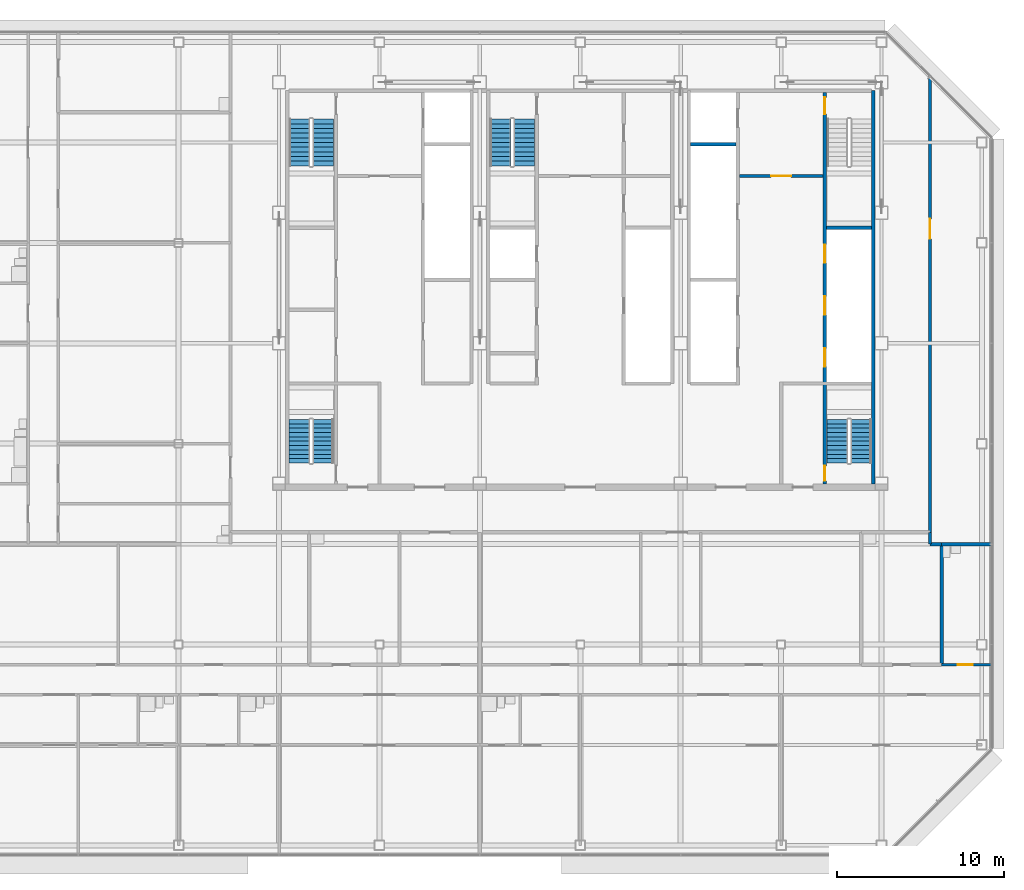
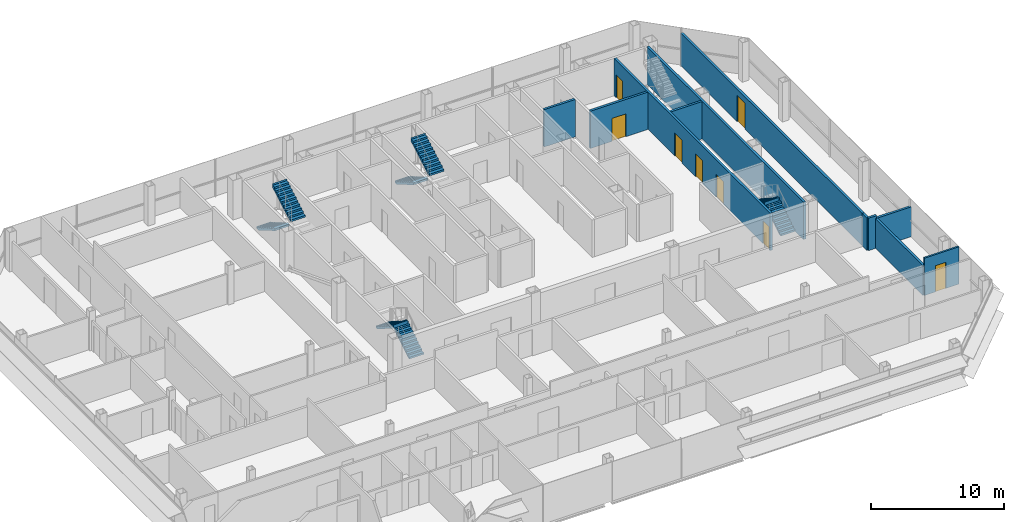
# One storey, part 24 of 27: 11 walls, 8 doors, 8 stair flights, 8 openings, 4 elements without a shape of their own.
"""IFC4 building model written with IfcOpenShell, lengths in metres."""

import ifcopenshell
import ifcopenshell.guid

model = None  # the IFC model being written
_history = None  # IfcOwnerHistory: only IFC2X3 demands one
_inside = {}  # id of a spatial element -> (the spatial element, [elements in it])
_under = {}  # id of a project, library or spatial element -> (it, [spatial elements below it])
_declared = {}  # id of a project -> (the project, [libraries it declares])
_typed = {}  # id of a type object -> (the type object, [elements of that type])
_made_of = {}  # id of a material, layer set ... -> (it, [elements and type objects made of it])


def new_model(schema):
    """Start an empty IFC model of exactly this schema.

    Asked for "IFC4X3", IfcOpenShell would pick the latest addendum, in which some entities
    have other attributes; the version numbers below select the first issue.
    IFC2X3 requires an IfcOwnerHistory on every rooted entity: one is made here for all.
    """
    global model, _history
    if schema == "IFC4X3":
        model = ifcopenshell.file(schema_version=(4, 3, 0, 0))
    else:
        model = ifcopenshell.file(schema=schema)
    _inside.clear()
    _under.clear()
    _declared.clear()
    _typed.clear()
    _made_of.clear()
    _history = None
    if model.schema == "IFC2X3":
        org = make("IfcOrganization", Name="unknown")
        user = make(
            "IfcPersonAndOrganization",
            ThePerson=make("IfcPerson", FamilyName="unknown"),
            TheOrganization=org,
        )
        app = make(
            "IfcApplication",
            ApplicationDeveloper=org,
            Version="unknown",
            ApplicationFullName="unknown",
            ApplicationIdentifier="unknown",
        )
        _history = make(
            "IfcOwnerHistory",
            OwningUser=user,
            OwningApplication=app,
            ChangeAction="ADDED",
            CreationDate=0,
        )
    return model


def make(cls, **values):
    """One entity of the class cls with the attributes given. An attribute that is None is left unset."""
    return model.create_entity(
        cls, **{name: value for name, value in values.items() if value is not None}
    )


def rooted(cls, **values):
    """An entity with a GlobalId (a new one), such as an element, a storey or a relation."""
    return make(cls, GlobalId=ifcopenshell.guid.new(), OwnerHistory=_history, **values)


def si_unit(unit_type, name, prefix=None):
    """IfcSIUnit, for example si_unit("LENGTHUNIT", "METRE", prefix="MILLI")."""
    return make("IfcSIUnit", UnitType=unit_type, Prefix=prefix, Name=name)


def assignment(units):
    """IfcUnitAssignment: the units of a project."""
    return None if units is None else make("IfcUnitAssignment", Units=units)


def point(xyz):
    """IfcCartesianPoint."""
    return None if xyz is None else make("IfcCartesianPoint", Coordinates=xyz)


def direction(xyz):
    """IfcDirection."""
    return None if xyz is None else make("IfcDirection", DirectionRatios=xyz)


def frame(location, z_axis=None, x_axis=None):
    """IfcAxis2Placement3D, a coordinate frame: its origin and axes. An axis left out is left unset."""
    return make(
        "IfcAxis2Placement3D",
        Location=point(location),
        Axis=direction(z_axis),
        RefDirection=direction(x_axis),
    )


def frame_2d(location, x_axis=None):
    """IfcAxis2Placement2D, a coordinate frame in the plane: its origin and x axis."""
    return make(
        "IfcAxis2Placement2D", Location=point(location), RefDirection=direction(x_axis)
    )


def origin():
    """The frame at (0, 0, 0) with its axes left unset."""
    return frame((0.0, 0.0, 0.0))


def place(relative_to, where):
    """IfcLocalPlacement: puts the frame where relative to a parent placement (None: the world)."""
    return make(
        "IfcLocalPlacement", PlacementRelTo=relative_to, RelativePlacement=where
    )


def context(
    kind, dimensions, precision=None, world=None, true_north=None, identifier=None
):
    """IfcGeometricRepresentationContext, for example the 3D "Model" context."""
    return make(
        "IfcGeometricRepresentationContext",
        ContextIdentifier=identifier,
        ContextType=kind,
        CoordinateSpaceDimension=dimensions,
        Precision=precision,
        WorldCoordinateSystem=world,
        TrueNorth=true_north,
    )


def subcontext(parent, identifier, kind, view, scale=None):
    """IfcGeometricRepresentationSubContext, for example "Body" below "Model"."""
    return make(
        "IfcGeometricRepresentationSubContext",
        ContextIdentifier=identifier,
        ContextType=kind,
        ParentContext=parent,
        TargetScale=scale,
        TargetView=view,
    )


def project(units=None, contexts=None):
    """IfcProject with its units and contexts."""
    return rooted(
        "IfcProject",
        Name="project",
        RepresentationContexts=contexts,
        UnitsInContext=assignment(units),
    )


def spatial(cls, under=None, at=None, **own):
    """A site, building, storey or space (cls), placed at a placement, below another one or the project."""
    s = rooted(cls, ObjectPlacement=at, **own)
    if under is not None:
        _under.setdefault(under.id(), (under, []))[1].append(s)
    return s


def polyline(points):
    """IfcPolyline through the points."""
    return make("IfcPolyline", Points=[point(p) for p in points])


def profile(cls, at=None, kind="AREA", **sizes):
    """A parametric profile (cls). Its sizes go by their IFC names, for example OverallWidth=200.0."""
    return make(cls, ProfileType=kind, Position=at, **sizes)


def rectangle(**sizes):
    """IfcRectangleProfileDef."""
    return profile("IfcRectangleProfileDef", **sizes)


def outline(outer, holes=None, kind="AREA"):
    """IfcArbitraryClosedProfileDef: a profile drawn as a closed curve; with holes, ...WithVoids."""
    if holes is None:
        return make("IfcArbitraryClosedProfileDef", ProfileType=kind, OuterCurve=outer)
    return make(
        "IfcArbitraryProfileDefWithVoids",
        ProfileType=kind,
        OuterCurve=outer,
        InnerCurves=holes,
    )


def extrude(swept, where, along, depth):
    """IfcExtrudedAreaSolid: the profile swept, set in the frame where, extruded along a direction by depth."""
    return make(
        "IfcExtrudedAreaSolid",
        SweptArea=swept,
        Position=where,
        ExtrudedDirection=direction(along),
        Depth=depth,
    )


def shape(context_of_items, identifier, shape_type, items):
    """IfcShapeRepresentation: the items that make up one representation, for example the "Body"."""
    return make(
        "IfcShapeRepresentation",
        ContextOfItems=context_of_items,
        RepresentationIdentifier=identifier,
        RepresentationType=shape_type,
        Items=items,
    )


def material(Name=None, Category=None):
    """IfcMaterial."""
    return make("IfcMaterial", Name=Name, Category=Category)


def layer(
    of_material, thickness, ventilated=None, Name=None, Category=None, Priority=None
):
    """IfcMaterialLayer: one layer of a wall or slab, of a material (None: an air gap)."""
    return make(
        "IfcMaterialLayer",
        Material=of_material,
        LayerThickness=thickness,
        IsVentilated=ventilated,
        Name=Name,
        Category=Category,
        Priority=Priority,
    )


def layer_set(layers, Name=None):
    """IfcMaterialLayerSet."""
    return make("IfcMaterialLayerSet", MaterialLayers=layers, LayerSetName=Name)


def made_of(thing, what):
    """Note that an element or type object is made of a material, layer set ...; save() writes the relation."""
    if what is not None:
        _made_of.setdefault(what.id(), (what, []))[1].append(thing)
    return thing


def type_object(cls, material=None, **own):
    """A type object (cls), such as IfcWallType, which elements share."""
    return made_of(rooted(cls, **own), material)


def element(
    cls,
    number,
    at=None,
    inside=None,
    cuts=None,
    type_object=None,
    material=None,
    context=None,
    identifier="Body",
    shape_type=None,
    held_by="IfcProductDefinitionShape",
    body=None,
    shapes=None,
    **own,
):
    """One element of the class cls, such as IfcWall. Its Tag is "e" and its number.

    at: its placement. inside: the storey or other place that contains it. cuts: it is an
    opening in that element (IfcRelVoidsElement). A single representation is given by context,
    identifier, shape_type and body (its items); several are given by shapes. held_by: the class
    of the entity that holds the representations. save() writes the other relations.
    """
    e = rooted(cls, Tag="e%d" % number, ObjectPlacement=at, **own)
    if body is not None:
        shapes = [shape(context, identifier, shape_type, body)]
    if shapes is not None:
        e.Representation = make(held_by, Representations=shapes)
    if inside is not None:
        _inside.setdefault(inside.id(), (inside, []))[1].append(e)
    if cuts is not None:
        rooted(
            "IfcRelVoidsElement", RelatingBuildingElement=cuts, RelatedOpeningElement=e
        )
    if type_object is not None:
        _typed.setdefault(type_object.id(), (type_object, []))[1].append(e)
    return made_of(e, material)


def fill(opening, filler):
    """IfcRelFillsElement: the door or window that sits in an opening."""
    return rooted(
        "IfcRelFillsElement",
        RelatingOpeningElement=opening,
        RelatedBuildingElement=filler,
    )


def aggregate(whole, parts):
    """IfcRelAggregates: a whole, such as a stair, and the parts it consists of."""
    return rooted("IfcRelAggregates", RelatingObject=whole, RelatedObjects=parts)


def save(model, path):
    """Write the relations noted so far, then the file.

    IfcRelAggregates (storeys below a building ...), IfcRelContainedInSpatialStructure (elements
    in a storey), IfcRelDefinesByType, IfcRelAssociatesMaterial and IfcRelDeclares: one each for
    every whole, place, type object, material and project.
    """
    for whole, parts in _under.values():
        aggregate(whole, parts)
    for where, things in _inside.values():
        rooted(
            "IfcRelContainedInSpatialStructure",
            RelatedElements=things,
            RelatingStructure=where,
        )
    for kind, things in _typed.values():
        rooted("IfcRelDefinesByType", RelatedObjects=things, RelatingType=kind)
    for what, things in _made_of.values():
        rooted("IfcRelAssociatesMaterial", RelatedObjects=things, RelatingMaterial=what)
    for by, libraries in _declared.values():
        rooted("IfcRelDeclares", RelatingContext=by, RelatedDefinitions=libraries)
    model.write(path)


model = new_model("IFC4")

# Units and contexts
model_context = context("Model", 3, precision=1e-05, world=origin(), true_north=direction((0.0, 1.0)))
body_context = subcontext(model_context, "Body", "Model", "MODEL_VIEW")
ifc_project = project(units=[si_unit("LENGTHUNIT", "METRE"), si_unit("AREAUNIT", "SQUARE_METRE"), si_unit("VOLUMEUNIT", "CUBIC_METRE"), si_unit("PLANEANGLEUNIT", "RADIAN"), si_unit("MASSUNIT", "GRAM", prefix="KILO")], contexts=[model_context])

# Site, building, storey
site_placement = place(None, origin())
site = spatial("IfcSite", under=ifc_project, at=site_placement, CompositionType="ELEMENT")
building_placement = place(site_placement, origin())
building = spatial("IfcBuilding", under=site, at=building_placement, Name="Sorahane Residences", CompositionType="ELEMENT")
storey_placement = place(building_placement, frame((0.0, 0.0, 294.39990234375)))
storey = spatial("IfcBuildingStorey", under=building, at=storey_placement, Name="L69", CompositionType="ELEMENT", Elevation=294.39990234375)

# Wall
ifc_material_1 = material(Name="Concrete C30", Category="concrete")
ifc_layer_1 = layer(ifc_material_1, 0.199951171875)
ifc_layer_set_1 = layer_set([ifc_layer_1], Name="Core face wall 200 EI 180")
wall_type_1 = type_object("IfcWallType", Name="Core face wall 200 EI 180", PredefinedType="SOLIDWALL", material=ifc_layer_set_1)
wall_1_placement = place(storey_placement, frame((41.5, 21.60009765625, 0.0), z_axis=(0.0, 0.0, 1.0), x_axis=(0.0, 1.0, 0.0)))
element("IfcWall", 1, at=wall_1_placement, inside=storey, type_object=wall_type_1, Name="L69 core face wall", PredefinedType="SOLIDWALL", context=body_context, shape_type="SweptSolid", body=[
    extrude(rectangle(XDim=23.5, YDim=0.199951171875, at=frame_2d((11.75, 0.0))), origin(), (0.0, 0.0, 1.0), 3.420166015625),
])

# Wall, opening, door
ifc_material_2 = material(Name="Concrete blockwork C20 wall", Category="masonry")
ifc_layer_2 = layer(ifc_material_2, 0.199951171875)
ifc_layer_set_2 = layer_set([ifc_layer_2], Name="Corridor wall 200 EI 120")
wall_type_2 = type_object("IfcWallType", Name="Corridor wall 200 EI 120", PredefinedType="SOLIDWALL", material=ifc_layer_set_2)
wall_2_placement = place(storey_placement, frame((44.89990234375, 18.699951171875, 0.0), z_axis=(0.0, 0.0, 1.0), x_axis=(0.0, 1.0, 0.0)))
wall_2 = element("IfcWall", 2, at=wall_2_placement, inside=storey, type_object=wall_type_2, Name="L69 corridor wall", PredefinedType="SOLIDWALL", context=body_context, shape_type="SweptSolid", body=[
    extrude(rectangle(XDim=27.2490234375, YDim=0.199951171875, at=frame_2d((13.62451171875, 0.0))), origin(), (0.0, 0.0, 1.0), 2.97021484375),
])
opening_1_placement = place(wall_2_placement, frame((17.5400390625, 0.0, 0.0)))
opening_1 = element("IfcOpeningElement", 3, at=opening_1_placement, cuts=wall_2, Name="Opening L69-45", PredefinedType="OPENING", context=body_context, shape_type="SweptSolid", body=[
    extrude(rectangle(XDim=1.199951171875, YDim=2.39990234375, at=frame_2d((0.60009765625, 1.199951171875))), frame((0.0, 0.10986328125, 0.0), z_axis=(0.0, -1.0, 0.0), x_axis=(1.0, 0.0, 0.0)), (0.0, 0.0, 1.0), 0.219970703125),
])
ifc_material_3 = material(Name="Steel", Category="steel")
door_type_1 = type_object("IfcDoorType", Name="Lobby door 1200x2400 FD60", OperationType="NOTDEFINED", PredefinedType="DOOR", material=ifc_material_3)
door_1_placement = place(opening_1_placement, frame((1.199951171875, 0.0, 0.0), z_axis=(0.0, 0.0, 1.0), x_axis=(-1.0, 0.0, 0.0)))
door_1 = element("IfcDoor", 4, at=door_1_placement, inside=storey, type_object=door_type_1, Name="Lobby door L69-45", OperationType="SINGLE_SWING_RIGHT", OverallHeight=2.39990234375, OverallWidth=1.199951171875, PredefinedType="DOOR", context=body_context, shape_type="SweptSolid", body=[
    extrude(rectangle(XDim=1.199951171875, YDim=2.39990234375, at=frame_2d((0.60009765625, 1.199951171875))), frame((0.0, 0.02490234375, 0.0), z_axis=(0.0, -1.0, 0.0), x_axis=(1.0, 0.0, 0.0)), (0.0, 0.0, 1.0), 0.050048828125),
])
fill(opening_1, door_1)

# Wall
wall_3_placement = place(storey_placement, frame((45.60009765625, 18.0, 0.0), z_axis=(0.0, 0.0, 1.0), x_axis=(1.0, 0.0, 0.0)))
element("IfcWall", 5, at=wall_3_placement, inside=storey, type_object=wall_type_2, Name="L69 corridor wall", PredefinedType="SOLIDWALL", context=body_context, shape_type="SweptSolid", body=[
    extrude(rectangle(XDim=3.0, YDim=0.199951171875, at=frame_2d((1.5, 0.0))), origin(), (0.0, 0.0, 1.0), 2.72021484375),
])

# Wall, opening, door
ifc_material_4 = material(Name="Concrete C30", Category="concrete")
ifc_layer_3 = layer(ifc_material_4, 0.199951171875)
ifc_layer_set_3 = layer_set([ifc_layer_3], Name="Front room wall 200 EI 120")
wall_type_3 = type_object("IfcWallType", Name="Front room wall 200 EI 120", PredefinedType="PARTITIONING", material=ifc_layer_set_3)
wall_4_placement = place(storey_placement, frame((33.5, 40.0, 0.0), z_axis=(0.0, 0.0, 1.0), x_axis=(1.0, 0.0, 0.0)))
wall_4 = element("IfcWall", 6, at=wall_4_placement, inside=storey, type_object=wall_type_3, Name="L69 front room wall", PredefinedType="PARTITIONING", context=body_context, shape_type="SweptSolid", body=[
    extrude(rectangle(XDim=5.0, YDim=0.199951171875, at=frame_2d((2.5, 0.0))), origin(), (0.0, 0.0, 1.0), 3.420166015625),
])
opening_2_placement = place(wall_4_placement, frame((1.89990234375, 0.0, 0.0)))
opening_2 = element("IfcOpeningElement", 7, at=opening_2_placement, cuts=wall_4, Name="Opening L69-C08", PredefinedType="OPENING", context=body_context, shape_type="SweptSolid", body=[
    extrude(rectangle(XDim=1.199951171875, YDim=2.10009765625, at=frame_2d((0.60009765625, 1.050048828125))), frame((0.0, 0.10986328125, 0.0), z_axis=(0.0, -1.0, 0.0), x_axis=(1.0, 0.0, 0.0)), (0.0, 0.0, 1.0), 0.219970703125),
])
ifc_material_5 = material(Name="Steel", Category="steel")
door_type_2 = type_object("IfcDoorType", Name="Front room door 1200x2100 FD120", OperationType="NOTDEFINED", PredefinedType="DOOR", material=ifc_material_5)
door_2_placement = place(opening_2_placement, frame((1.199951171875, 0.0, 0.0), z_axis=(0.0, 0.0, 1.0), x_axis=(-1.0, 0.0, 0.0)))
door_2 = element("IfcDoor", 8, at=door_2_placement, inside=storey, type_object=door_type_2, Name="Front room door Firefighting lobby FF2 front room L69", OperationType="DOUBLE_DOOR_SINGLE_SWING", OverallHeight=2.10009765625, OverallWidth=1.199951171875, PredefinedType="DOOR", context=body_context, shape_type="SweptSolid", body=[
    extrude(rectangle(XDim=1.199951171875, YDim=2.10009765625, at=frame_2d((0.60009765625, 1.050048828125))), frame((0.0, 0.02490234375, 0.0), z_axis=(0.0, -1.0, 0.0), x_axis=(1.0, 0.0, 0.0)), (0.0, 0.0, 1.0), 0.050048828125),
])
fill(opening_2, door_2)

# Walls
ifc_material_6 = material(Name="Concrete blockwork C20 wall", Category="masonry")
ifc_layer_4 = layer(ifc_material_6, 0.199951171875)
ifc_layer_set_4 = layer_set([ifc_layer_4], Name="Kitchen wall 200 EI 180")
wall_type_4 = type_object("IfcWallType", Name="Kitchen wall 200 EI 180", PredefinedType="SOLIDWALL", material=ifc_layer_set_4)
wall_5_placement = place(storey_placement, frame((44.89990234375, 18.0, 0.0), z_axis=(0.0, 0.0, 1.0), x_axis=(0.0, 1.0, 0.0)))
element("IfcWall", 9, at=wall_5_placement, inside=storey, type_object=wall_type_4, Name="L69 kitchen wall", PredefinedType="SOLIDWALL", context=body_context, shape_type="SweptSolid", body=[
    extrude(rectangle(XDim=0.699951171875, YDim=0.199951171875, at=frame_2d((0.35009765625, 0.0))), origin(), (0.0, 0.0, 1.0), 2.97021484375),
])
wall_6_placement = place(storey_placement, frame((45.60009765625, 10.800048828125, 0.0), z_axis=(0.0, 0.0, 1.0), x_axis=(0.0, 1.0, 0.0)))
element("IfcWall", 10, at=wall_6_placement, inside=storey, type_object=wall_type_4, Name="L69 kitchen wall", PredefinedType="SOLIDWALL", context=body_context, shape_type="SweptSolid", body=[
    extrude(rectangle(XDim=7.199951171875, YDim=0.199951171875, at=frame_2d((3.60009765625, 0.0))), origin(), (0.0, 0.0, 1.0), 2.72021484375),
])
wall_7_placement = place(storey_placement, frame((44.89990234375, 18.0, 0.0), z_axis=(0.0, 0.0, 1.0), x_axis=(1.0, 0.0, 0.0)))
element("IfcWall", 11, at=wall_7_placement, inside=storey, type_object=wall_type_4, Name="L69 kitchen wall", PredefinedType="SOLIDWALL", context=body_context, shape_type="SweptSolid", body=[
    extrude(rectangle(XDim=0.7001953125, YDim=0.199951171875, at=frame_2d((0.35009765625, 0.0))), origin(), (0.0, 0.0, 1.0), 2.97021484375),
])
ifc_material_7 = material(Name="Concrete C30", Category="concrete")
ifc_layer_5 = layer(ifc_material_7, 0.199951171875)
ifc_layer_set_5 = layer_set([ifc_layer_5], Name="Lift shaft wall 200 EI 120")
wall_type_5 = type_object("IfcWallType", Name="Lift shaft wall 200 EI 120", PredefinedType="SOLIDWALL", material=ifc_layer_set_5)
wall_8_placement = place(storey_placement, frame((30.60009765625, 41.89990234375, 0.0), z_axis=(0.0, 0.0, 1.0), x_axis=(1.0, 0.0, 0.0)))
element("IfcWall", 12, at=wall_8_placement, inside=storey, type_object=wall_type_5, Name="L69 lift shaft wall", PredefinedType="SOLIDWALL", context=body_context, shape_type="SweptSolid", body=[
    extrude(rectangle(XDim=2.699951171875, YDim=0.199951171875, at=frame_2d((1.35009765625, 0.0))), origin(), (0.0, 0.0, 1.0), 3.420166015625),
])

# Wall, openings, doors
ifc_material_8 = material(Name="Concrete C30", Category="concrete")
ifc_layer_6 = layer(ifc_material_8, 0.199951171875)
ifc_layer_set_6 = layer_set([ifc_layer_6], Name="Stair enclosure wall 200 EI 120")
wall_type_6 = type_object("IfcWallType", Name="Stair enclosure wall 200 EI 120", PredefinedType="SOLIDWALL", material=ifc_layer_set_6)
wall_9_placement = place(storey_placement, frame((38.60009765625, 21.60009765625, 0.0), z_axis=(0.0, 0.0, 1.0), x_axis=(0.0, 1.0, 0.0)))
wall_9 = element("IfcWall", 13, at=wall_9_placement, inside=storey, type_object=wall_type_6, Name="L69 stair enclosure wall", PredefinedType="SOLIDWALL", context=body_context, shape_type="SweptSolid", body=[
    extrude(rectangle(XDim=23.39990234375, YDim=0.199951171875, at=frame_2d((11.699951171875, 0.0))), origin(), (0.0, 0.0, 1.0), 3.420166015625),
])
opening_3_placement = place(wall_9_placement, frame((7.0, 0.0, 0.0)))
opening_3 = element("IfcOpeningElement", 14, at=opening_3_placement, cuts=wall_9, Name="Opening L69-C09", PredefinedType="OPENING", context=body_context, shape_type="SweptSolid", body=[
    extrude(rectangle(XDim=1.10009765625, YDim=2.10009765625, at=frame_2d((0.550048828125, 1.050048828125))), frame((0.0, 0.10986328125, 0.0), z_axis=(0.0, -1.0, 0.0), x_axis=(1.0, 0.0, 0.0)), (0.0, 0.0, 1.0), 0.219970703125),
])
opening_4_placement = place(wall_9_placement, frame((10.10009765625, 0.0, 0.0)))
opening_4 = element("IfcOpeningElement", 15, at=opening_4_placement, cuts=wall_9, Name="Opening L69-C10", PredefinedType="OPENING", context=body_context, shape_type="SweptSolid", body=[
    extrude(rectangle(XDim=1.10009765625, YDim=2.10009765625, at=frame_2d((0.550048828125, 1.050048828125))), frame((0.0, 0.10986328125, 0.0), z_axis=(0.0, -1.0, 0.0), x_axis=(1.0, 0.0, 0.0)), (0.0, 0.0, 1.0), 0.219970703125),
])
opening_5_placement = place(wall_9_placement, frame((13.199951171875, 0.0, 0.0)))
opening_5 = element("IfcOpeningElement", 16, at=opening_5_placement, cuts=wall_9, Name="Opening L69-C11", PredefinedType="OPENING", context=body_context, shape_type="SweptSolid", body=[
    extrude(rectangle(XDim=1.10009765625, YDim=2.10009765625, at=frame_2d((0.550048828125, 1.050048828125))), frame((0.0, 0.10986328125, 0.0), z_axis=(0.0, -1.0, 0.0), x_axis=(1.0, 0.0, 0.0)), (0.0, 0.0, 1.0), 0.219970703125),
])
opening_6_placement = place(wall_9_placement, frame((22.10009765625, 0.0, 0.0)))
opening_6 = element("IfcOpeningElement", 17, at=opening_6_placement, cuts=wall_9, Name="Opening L69-C22", PredefinedType="OPENING", context=body_context, shape_type="SweptSolid", body=[
    extrude(rectangle(XDim=1.0, YDim=2.10009765625, at=frame_2d((0.5, 1.050048828125))), frame((0.0, 0.10986328125, 0.0), z_axis=(0.0, -1.0, 0.0), x_axis=(1.0, 0.0, 0.0)), (0.0, 0.0, 1.0), 0.219970703125),
])
opening_7_placement = place(wall_9_placement, frame((0.175048828125, 0.0, 0.0)))
opening_7 = element("IfcOpeningElement", 18, at=opening_7_placement, cuts=wall_9, Name="Opening L69-C25", PredefinedType="OPENING", context=body_context, shape_type="SweptSolid", body=[
    extrude(rectangle(XDim=0.89990234375, YDim=2.10009765625, at=frame_2d((0.449951171875, 1.050048828125))), frame((0.0, 0.10986328125, 0.0), z_axis=(0.0, -1.0, 0.0), x_axis=(1.0, 0.0, 0.0)), (0.0, 0.0, 1.0), 0.219970703125),
])
ifc_material_9 = material(Name="Aluminium and stainless steel", Category="steel")
door_type_3 = type_object("IfcDoorType", Name="Lift landing door 1100x2100 E 60", OperationType="NOTDEFINED", PredefinedType="DOOR", material=ifc_material_9)
door_3_placement = place(opening_3_placement, origin())
door_3 = element("IfcDoor", 19, at=door_3_placement, inside=storey, type_object=door_type_3, Name="Lift landing door HR1 L69", OperationType="DOUBLE_DOOR_SLIDING", OverallHeight=2.10009765625, OverallWidth=1.10009765625, PredefinedType="DOOR", context=body_context, shape_type="SweptSolid", body=[
    extrude(rectangle(XDim=1.10009765625, YDim=2.10009765625, at=frame_2d((0.550048828125, 1.050048828125))), frame((0.0, 0.02490234375, 0.0), z_axis=(0.0, -1.0, 0.0), x_axis=(1.0, 0.0, 0.0)), (0.0, 0.0, 1.0), 0.050048828125),
])
fill(opening_3, door_3)
door_4_placement = place(opening_4_placement, origin())
door_4 = element("IfcDoor", 20, at=door_4_placement, inside=storey, type_object=door_type_3, Name="Lift landing door HR2 L69", OperationType="DOUBLE_DOOR_SLIDING", OverallHeight=2.10009765625, OverallWidth=1.10009765625, PredefinedType="DOOR", context=body_context, shape_type="SweptSolid", body=[
    extrude(rectangle(XDim=1.10009765625, YDim=2.10009765625, at=frame_2d((0.550048828125, 1.050048828125))), frame((0.0, 0.02490234375, 0.0), z_axis=(0.0, -1.0, 0.0), x_axis=(1.0, 0.0, 0.0)), (0.0, 0.0, 1.0), 0.050048828125),
])
fill(opening_4, door_4)
door_5_placement = place(opening_5_placement, origin())
door_5 = element("IfcDoor", 21, at=door_5_placement, inside=storey, type_object=door_type_3, Name="Lift landing door HR3 L69", OperationType="DOUBLE_DOOR_SLIDING", OverallHeight=2.10009765625, OverallWidth=1.10009765625, PredefinedType="DOOR", context=body_context, shape_type="SweptSolid", body=[
    extrude(rectangle(XDim=1.10009765625, YDim=2.10009765625, at=frame_2d((0.550048828125, 1.050048828125))), frame((0.0, 0.02490234375, 0.0), z_axis=(0.0, -1.0, 0.0), x_axis=(1.0, 0.0, 0.0)), (0.0, 0.0, 1.0), 0.050048828125),
])
fill(opening_5, door_5)
ifc_material_10 = material(Name="Steel", Category="steel")
door_type_4 = type_object("IfcDoorType", Name="Stair door 1000x2100 FD120", OperationType="NOTDEFINED", PredefinedType="DOOR", material=ifc_material_10)
door_6_placement = place(opening_6_placement, frame((1.0, 0.0, 0.0), z_axis=(0.0, 0.0, 1.0), x_axis=(-1.0, 0.0, 0.0)))
door_6 = element("IfcDoor", 22, at=door_6_placement, inside=storey, type_object=door_type_4, Name="Stair door S2 L69", OperationType="SINGLE_SWING_LEFT", OverallHeight=2.10009765625, OverallWidth=1.0, PredefinedType="DOOR", context=body_context, shape_type="SweptSolid", body=[
    extrude(rectangle(XDim=1.0, YDim=2.10009765625, at=frame_2d((0.5, 1.050048828125))), frame((0.0, 0.02490234375, 0.0), z_axis=(0.0, -1.0, 0.0), x_axis=(1.0, 0.0, 0.0)), (0.0, 0.0, 1.0), 0.050048828125),
])
fill(opening_6, door_6)
ifc_material_11 = material(Name="Steel", Category="steel")
door_type_5 = type_object("IfcDoorType", Name="Stair door 900x2100 FD120", OperationType="NOTDEFINED", PredefinedType="DOOR", material=ifc_material_11)
door_7_placement = place(opening_7_placement, frame((0.89990234375, 0.0, 0.0), z_axis=(0.0, 0.0, 1.0), x_axis=(-1.0, 0.0, 0.0)))
door_7 = element("IfcDoor", 23, at=door_7_placement, inside=storey, type_object=door_type_5, Name="Stair door S5 L69", OperationType="SINGLE_SWING_LEFT", OverallHeight=2.10009765625, OverallWidth=0.89990234375, PredefinedType="DOOR", context=body_context, shape_type="SweptSolid", body=[
    extrude(rectangle(XDim=0.89990234375, YDim=2.10009765625, at=frame_2d((0.449951171875, 1.050048828125))), frame((0.0, 0.02490234375, 0.0), z_axis=(0.0, -1.0, 0.0), x_axis=(1.0, 0.0, 0.0)), (0.0, 0.0, 1.0), 0.050048828125),
])
fill(opening_7, door_7)

# Wall
wall_10_placement = place(storey_placement, frame((38.699951171875, 36.89990234375, 0.0), z_axis=(0.0, 0.0, 1.0), x_axis=(1.0, 0.0, 0.0)))
element("IfcWall", 24, at=wall_10_placement, inside=storey, type_object=wall_type_6, Name="L69 stair enclosure wall", PredefinedType="SOLIDWALL", context=body_context, shape_type="SweptSolid", body=[
    extrude(rectangle(XDim=2.699951171875, YDim=0.199951171875, at=frame_2d((1.35009765625, 0.0))), origin(), (0.0, 0.0, 1.0), 3.420166015625),
])

# Wall, opening, door
ifc_material_12 = material(Name="Gypsum board partition on steel studs", Category="steel")
ifc_layer_7 = layer(ifc_material_12, 0.14990234375)
ifc_layer_set_7 = layer_set([ifc_layer_7], Name="Wet wall 150 EI 90")
wall_type_7 = type_object("IfcWallType", Name="Wet wall 150 EI 90", PredefinedType="PARTITIONING", material=ifc_layer_set_7)
wall_11_placement = place(storey_placement, frame((45.60009765625, 10.800048828125, 0.0), z_axis=(0.0, 0.0, 1.0), x_axis=(1.0, 0.0, 0.0)))
wall_11 = element("IfcWall", 25, at=wall_11_placement, inside=storey, type_object=wall_type_7, Name="L69 wet wall", PredefinedType="PARTITIONING", context=body_context, shape_type="SweptSolid", body=[
    extrude(rectangle(XDim=3.0, YDim=0.14990234375, at=frame_2d((1.5, 0.0))), origin(), (0.0, 0.0, 1.0), 3.420166015625),
])
opening_8_placement = place(wall_11_placement, frame((0.949951171875, 0.0, 0.0)))
opening_8 = element("IfcOpeningElement", 26, at=opening_8_placement, cuts=wall_11, Name="Opening L69-20", PredefinedType="OPENING", context=body_context, shape_type="SweptSolid", body=[
    extrude(rectangle(XDim=0.89990234375, YDim=2.39990234375, at=frame_2d((0.449951171875, 1.199951171875))), frame((0.0, 0.0849609375, 0.0), z_axis=(0.0, -1.0, 0.0), x_axis=(1.0, 0.0, 0.0)), (0.0, 0.0, 1.0), 0.169921875),
])
ifc_material_13 = material(Name="Timber veneered fire door", Category="wood")
door_type_6 = type_object("IfcDoorType", Name="Bathroom door 900x2400 FD30", OperationType="NOTDEFINED", PredefinedType="DOOR", material=ifc_material_13)
door_8_placement = place(opening_8_placement, frame((0.89990234375, 0.0, 0.0), z_axis=(0.0, 0.0, 1.0), x_axis=(-1.0, 0.0, 0.0)))
door_8 = element("IfcDoor", 27, at=door_8_placement, inside=storey, type_object=door_type_6, Name="Bathroom door L69-20", OperationType="SINGLE_SWING_RIGHT", OverallHeight=2.39990234375, OverallWidth=0.89990234375, PredefinedType="DOOR", context=body_context, shape_type="SweptSolid", body=[
    extrude(rectangle(XDim=0.89990234375, YDim=2.39990234375, at=frame_2d((0.449951171875, 1.199951171875))), frame((0.0, 0.02490234375, 0.0), z_axis=(0.0, -1.0, 0.0), x_axis=(1.0, 0.0, 0.0)), (0.0, 0.0, 1.0), 0.050048828125),
])
fill(opening_8, door_8)

# Stair, stair flights
ifc_material_14 = material(Name="Concrete C40", Category="concrete")
stair_type = type_object("IfcStairType", Name="Dog-leg stair 1250 Concrete C40", PredefinedType="HALF_TURN_STAIR", material=ifc_material_14)
stair_1_placement = place(storey_placement, origin())
stair_1 = element("IfcStair", 28, at=stair_1_placement, inside=storey, type_object=stair_type, Name="L69 Stair S1", PredefinedType="HALF_TURN_STAIR")
ifc_material_15 = material(Name="Concrete C40", Category="concrete")
stair_flight_type = type_object("IfcStairFlightType", Name="Stair flight 1250 Concrete C40", PredefinedType="STRAIGHT", material=ifc_material_15)
stair_flight_1_placement = place(storey_placement, frame((7.22509765625, 43.39990234375, 0.0), z_axis=(0.0, 0.0, 1.0), x_axis=(0.0, -1.0, 0.0)))
stair_flight_1 = element("IfcStairFlight", 29, at=stair_flight_1_placement, type_object=stair_flight_type, Name="S1 flight 1", NumberOfRisers=11, NumberOfTreads=10, PredefinedType="STRAIGHT", RiserHeight=0.163636364, TreadLength=0.28, context=body_context, shape_type="SweptSolid", body=[
    extrude(outline(polyline([(-0.00146484375, 0.0), (-0.00146484375, 0.16357421875), (0.0, 0.16357421875), (0.280029296875, 0.16357421875), (0.280029296875, 0.327392578125), (0.56005859375, 0.327392578125), (0.56005859375, 0.490966796875), (0.840087890625, 0.490966796875), (0.840087890625, 0.654541015625), (1.1201171875, 0.654541015625), (1.1201171875, 0.818115234375), (1.39990234375, 0.818115234375), (1.39990234375, 0.98193359375), (1.679931640625, 0.98193359375), (1.679931640625, 1.1455078125), (1.9599609375, 1.1455078125), (1.9599609375, 1.30908203125), (2.239990234375, 1.30908203125), (2.239990234375, 1.47265625), (2.52001953125, 1.47265625), (2.52001953125, 1.636474609375), (2.800048828125, 1.636474609375), (2.800048828125, 1.800048828125), (2.800048828125, 1.462646484375), (2.59130859375, 1.3408203125), (2.3828125, 1.218994140625), (2.17431640625, 1.09716796875), (1.965576171875, 0.97509765625), (1.757080078125, 0.853271484375), (1.548583984375, 0.7314453125), (1.340087890625, 0.609375), (1.13134765625, 0.487548828125), (0.9228515625, 0.36572265625), (0.71435546875, 0.243896484375), (0.505615234375, 0.121826171875), (0.297119140625, 0.0), (-0.00146484375, 0.0)])), frame((0.0, 0.625, 0.0), z_axis=(0.0, -1.0, 0.0), x_axis=(1.0, 0.0, 0.0)), (0.0, 0.0, 1.0), 1.25),
])
stair_flight_2_placement = place(storey_placement, frame((8.625, 40.60009765625, 1.800048828125), z_axis=(0.0, 0.0, 1.0), x_axis=(0.0, 1.0, 0.0)))
stair_flight_2 = element("IfcStairFlight", 30, at=stair_flight_2_placement, type_object=stair_flight_type, Name="S1 flight 2", NumberOfRisers=11, NumberOfTreads=10, PredefinedType="STRAIGHT", RiserHeight=0.163636364, TreadLength=0.28, context=body_context, shape_type="SweptSolid", body=[
    extrude(outline(polyline([(0.0, 0.0), (0.0, 0.16357421875), (0.280029296875, 0.16357421875), (0.280029296875, 0.327392578125), (0.56005859375, 0.327392578125), (0.56005859375, 0.490966796875), (0.840087890625, 0.490966796875), (0.840087890625, 0.654541015625), (1.1201171875, 0.654541015625), (1.1201171875, 0.818115234375), (1.39990234375, 0.818115234375), (1.39990234375, 0.98193359375), (1.679931640625, 0.98193359375), (1.679931640625, 1.1455078125), (1.9599609375, 1.1455078125), (1.9599609375, 1.30908203125), (2.239990234375, 1.30908203125), (2.239990234375, 1.47265625), (2.52001953125, 1.47265625), (2.52001953125, 1.636474609375), (2.800048828125, 1.636474609375), (2.800048828125, 1.800048828125), (2.801513671875, 1.800048828125), (2.801513671875, 1.462646484375), (2.5927734375, 1.3408203125), (2.384033203125, 1.218994140625), (2.17529296875, 1.09716796875), (1.966796875, 0.97509765625), (1.758056640625, 0.853271484375), (1.54931640625, 0.7314453125), (1.340576171875, 0.609375), (1.1318359375, 0.487548828125), (0.923095703125, 0.36572265625), (0.714599609375, 0.243896484375), (0.505859375, 0.121826171875), (0.297119140625, 0.0), (0.0, 0.0)])), frame((0.0, 0.625, 0.0), z_axis=(0.0, -1.0, 0.0), x_axis=(1.0, 0.0, 0.0)), (0.0, 0.0, 1.0), 1.25),
])
aggregate(stair_1, [stair_flight_1, stair_flight_2])

stair_2_placement = place(storey_placement, origin())
stair_2 = element("IfcStair", 31, at=stair_2_placement, inside=storey, type_object=stair_type, Name="L69 Stair S3", PredefinedType="HALF_TURN_STAIR")
stair_flight_3_placement = place(storey_placement, frame((19.22509765625, 43.39990234375, 0.0), z_axis=(0.0, 0.0, 1.0), x_axis=(0.0, -1.0, 0.0)))
stair_flight_3 = element("IfcStairFlight", 32, at=stair_flight_3_placement, type_object=stair_flight_type, Name="S3 flight 1", NumberOfRisers=11, NumberOfTreads=10, PredefinedType="STRAIGHT", RiserHeight=0.163636364, TreadLength=0.28, context=body_context, shape_type="SweptSolid", body=[
    extrude(outline(polyline([(-0.00146484375, 0.0), (-0.00146484375, 0.16357421875), (0.0, 0.16357421875), (0.280029296875, 0.16357421875), (0.280029296875, 0.327392578125), (0.56005859375, 0.327392578125), (0.56005859375, 0.490966796875), (0.840087890625, 0.490966796875), (0.840087890625, 0.654541015625), (1.1201171875, 0.654541015625), (1.1201171875, 0.818115234375), (1.39990234375, 0.818115234375), (1.39990234375, 0.98193359375), (1.679931640625, 0.98193359375), (1.679931640625, 1.1455078125), (1.9599609375, 1.1455078125), (1.9599609375, 1.30908203125), (2.239990234375, 1.30908203125), (2.239990234375, 1.47265625), (2.52001953125, 1.47265625), (2.52001953125, 1.636474609375), (2.800048828125, 1.636474609375), (2.800048828125, 1.800048828125), (2.800048828125, 1.462646484375), (2.59130859375, 1.3408203125), (2.3828125, 1.218994140625), (2.17431640625, 1.09716796875), (1.965576171875, 0.97509765625), (1.757080078125, 0.853271484375), (1.548583984375, 0.7314453125), (1.340087890625, 0.609375), (1.13134765625, 0.487548828125), (0.9228515625, 0.36572265625), (0.71435546875, 0.243896484375), (0.505615234375, 0.121826171875), (0.297119140625, 0.0), (-0.00146484375, 0.0)])), frame((0.0, 0.625, 0.0), z_axis=(0.0, -1.0, 0.0), x_axis=(1.0, 0.0, 0.0)), (0.0, 0.0, 1.0), 1.25),
])
stair_flight_4_placement = place(storey_placement, frame((20.625, 40.60009765625, 1.800048828125), z_axis=(0.0, 0.0, 1.0), x_axis=(0.0, 1.0, 0.0)))
stair_flight_4 = element("IfcStairFlight", 33, at=stair_flight_4_placement, type_object=stair_flight_type, Name="S3 flight 2", NumberOfRisers=11, NumberOfTreads=10, PredefinedType="STRAIGHT", RiserHeight=0.163636364, TreadLength=0.28, context=body_context, shape_type="SweptSolid", body=[
    extrude(outline(polyline([(0.0, 0.0), (0.0, 0.16357421875), (0.280029296875, 0.16357421875), (0.280029296875, 0.327392578125), (0.56005859375, 0.327392578125), (0.56005859375, 0.490966796875), (0.840087890625, 0.490966796875), (0.840087890625, 0.654541015625), (1.1201171875, 0.654541015625), (1.1201171875, 0.818115234375), (1.39990234375, 0.818115234375), (1.39990234375, 0.98193359375), (1.679931640625, 0.98193359375), (1.679931640625, 1.1455078125), (1.9599609375, 1.1455078125), (1.9599609375, 1.30908203125), (2.239990234375, 1.30908203125), (2.239990234375, 1.47265625), (2.52001953125, 1.47265625), (2.52001953125, 1.636474609375), (2.800048828125, 1.636474609375), (2.800048828125, 1.800048828125), (2.801513671875, 1.800048828125), (2.801513671875, 1.462646484375), (2.5927734375, 1.3408203125), (2.384033203125, 1.218994140625), (2.17529296875, 1.09716796875), (1.966796875, 0.97509765625), (1.758056640625, 0.853271484375), (1.54931640625, 0.7314453125), (1.340576171875, 0.609375), (1.1318359375, 0.487548828125), (0.923095703125, 0.36572265625), (0.714599609375, 0.243896484375), (0.505859375, 0.121826171875), (0.297119140625, 0.0), (0.0, 0.0)])), frame((0.0, 0.625, 0.0), z_axis=(0.0, -1.0, 0.0), x_axis=(1.0, 0.0, 0.0)), (0.0, 0.0, 1.0), 1.25),
])
aggregate(stair_2, [stair_flight_3, stair_flight_4])

stair_3_placement = place(storey_placement, origin())
stair_3 = element("IfcStair", 34, at=stair_3_placement, inside=storey, type_object=stair_type, Name="L69 Stair S4", PredefinedType="HALF_TURN_STAIR")
stair_flight_5_placement = place(storey_placement, frame((8.625, 22.85009765625, 0.0), z_axis=(0.0, 0.0, 1.0), x_axis=(0.0, 1.0, 0.0)))
stair_flight_5 = element("IfcStairFlight", 35, at=stair_flight_5_placement, type_object=stair_flight_type, Name="S4 flight 1", NumberOfRisers=11, NumberOfTreads=10, PredefinedType="STRAIGHT", RiserHeight=0.163636364, TreadLength=0.26, context=body_context, shape_type="SweptSolid", body=[
    extrude(outline(polyline([(-0.00146484375, 0.0), (-0.00146484375, 0.16357421875), (0.0, 0.16357421875), (0.260009765625, 0.16357421875), (0.260009765625, 0.327392578125), (0.52001953125, 0.327392578125), (0.52001953125, 0.490966796875), (0.780029296875, 0.490966796875), (0.780029296875, 0.654541015625), (1.0400390625, 0.654541015625), (1.0400390625, 0.818115234375), (1.300048828125, 0.818115234375), (1.300048828125, 0.98193359375), (1.56005859375, 0.98193359375), (1.56005859375, 1.1455078125), (1.820068359375, 1.1455078125), (1.820068359375, 1.30908203125), (2.080078125, 1.30908203125), (2.080078125, 1.47265625), (2.340087890625, 1.47265625), (2.340087890625, 1.636474609375), (2.60009765625, 1.636474609375), (2.60009765625, 1.800048828125), (2.60009765625, 1.494384765625), (2.402099609375, 1.369873046875), (2.204345703125, 1.245361328125), (2.00634765625, 1.120849609375), (1.80859375, 0.996337890625), (1.610595703125, 0.871826171875), (1.412841796875, 0.747314453125), (1.21484375, 0.622802734375), (1.01708984375, 0.498046875), (0.819091796875, 0.37353515625), (0.621337890625, 0.2490234375), (0.42333984375, 0.12451171875), (0.2255859375, 0.0), (-0.00146484375, 0.0)])), frame((0.0, 0.625, 0.0), z_axis=(0.0, -1.0, 0.0), x_axis=(1.0, 0.0, 0.0)), (0.0, 0.0, 1.0), 1.25),
])
stair_flight_6_placement = place(storey_placement, frame((7.22509765625, 25.449951171875, 1.800048828125), z_axis=(0.0, 0.0, 1.0), x_axis=(0.0, -1.0, 0.0)))
stair_flight_6 = element("IfcStairFlight", 36, at=stair_flight_6_placement, type_object=stair_flight_type, Name="S4 flight 2", NumberOfRisers=11, NumberOfTreads=10, PredefinedType="STRAIGHT", RiserHeight=0.163636364, TreadLength=0.26, context=body_context, shape_type="SweptSolid", body=[
    extrude(outline(polyline([(0.0, 0.0), (0.0, 0.16357421875), (0.260009765625, 0.16357421875), (0.260009765625, 0.327392578125), (0.52001953125, 0.327392578125), (0.52001953125, 0.490966796875), (0.780029296875, 0.490966796875), (0.780029296875, 0.654541015625), (1.0400390625, 0.654541015625), (1.0400390625, 0.818115234375), (1.300048828125, 0.818115234375), (1.300048828125, 0.98193359375), (1.56005859375, 0.98193359375), (1.56005859375, 1.1455078125), (1.820068359375, 1.1455078125), (1.820068359375, 1.30908203125), (2.080078125, 1.30908203125), (2.080078125, 1.47265625), (2.340087890625, 1.47265625), (2.340087890625, 1.636474609375), (2.60009765625, 1.636474609375), (2.60009765625, 1.800048828125), (2.6015625, 1.800048828125), (2.6015625, 1.494384765625), (2.403564453125, 1.369873046875), (2.20556640625, 1.245361328125), (2.007568359375, 1.120849609375), (1.8095703125, 0.996337890625), (1.611572265625, 0.871826171875), (1.41357421875, 0.747314453125), (1.215576171875, 0.622802734375), (1.017578125, 0.498046875), (0.819580078125, 0.37353515625), (0.62158203125, 0.2490234375), (0.423583984375, 0.12451171875), (0.2255859375, 0.0), (0.0, 0.0)])), frame((0.0, 0.625, 0.0), z_axis=(0.0, -1.0, 0.0), x_axis=(1.0, 0.0, 0.0)), (0.0, 0.0, 1.0), 1.25),
])
aggregate(stair_3, [stair_flight_5, stair_flight_6])

stair_4_placement = place(storey_placement, origin())
stair_4 = element("IfcStair", 37, at=stair_4_placement, inside=storey, type_object=stair_type, Name="L69 Stair S5", PredefinedType="HALF_TURN_STAIR")
stair_flight_7_placement = place(storey_placement, frame((40.77490234375, 22.85009765625, 0.0), z_axis=(0.0, 0.0, 1.0), x_axis=(0.0, 1.0, 0.0)))
stair_flight_7 = element("IfcStairFlight", 38, at=stair_flight_7_placement, type_object=stair_flight_type, Name="S5 flight 1", NumberOfRisers=11, NumberOfTreads=10, PredefinedType="STRAIGHT", RiserHeight=0.163636364, TreadLength=0.26, context=body_context, shape_type="SweptSolid", body=[
    extrude(outline(polyline([(-0.00146484375, 0.0), (-0.00146484375, 0.16357421875), (0.0, 0.16357421875), (0.260009765625, 0.16357421875), (0.260009765625, 0.327392578125), (0.52001953125, 0.327392578125), (0.52001953125, 0.490966796875), (0.780029296875, 0.490966796875), (0.780029296875, 0.654541015625), (1.0400390625, 0.654541015625), (1.0400390625, 0.818115234375), (1.300048828125, 0.818115234375), (1.300048828125, 0.98193359375), (1.56005859375, 0.98193359375), (1.56005859375, 1.1455078125), (1.820068359375, 1.1455078125), (1.820068359375, 1.30908203125), (2.080078125, 1.30908203125), (2.080078125, 1.47265625), (2.340087890625, 1.47265625), (2.340087890625, 1.636474609375), (2.60009765625, 1.636474609375), (2.60009765625, 1.800048828125), (2.60009765625, 1.494384765625), (2.402099609375, 1.369873046875), (2.204345703125, 1.245361328125), (2.00634765625, 1.120849609375), (1.80859375, 0.996337890625), (1.610595703125, 0.871826171875), (1.412841796875, 0.747314453125), (1.21484375, 0.622802734375), (1.01708984375, 0.498046875), (0.819091796875, 0.37353515625), (0.621337890625, 0.2490234375), (0.42333984375, 0.12451171875), (0.2255859375, 0.0), (-0.00146484375, 0.0)])), frame((0.0, 0.625, 0.0), z_axis=(0.0, -1.0, 0.0), x_axis=(1.0, 0.0, 0.0)), (0.0, 0.0, 1.0), 1.25),
])
stair_flight_8_placement = place(storey_placement, frame((39.375, 25.449951171875, 1.800048828125), z_axis=(0.0, 0.0, 1.0), x_axis=(0.0, -1.0, 0.0)))
stair_flight_8 = element("IfcStairFlight", 39, at=stair_flight_8_placement, type_object=stair_flight_type, Name="S5 flight 2", NumberOfRisers=11, NumberOfTreads=10, PredefinedType="STRAIGHT", RiserHeight=0.163636364, TreadLength=0.26, context=body_context, shape_type="SweptSolid", body=[
    extrude(outline(polyline([(0.0, 0.0), (0.0, 0.16357421875), (0.260009765625, 0.16357421875), (0.260009765625, 0.327392578125), (0.52001953125, 0.327392578125), (0.52001953125, 0.490966796875), (0.780029296875, 0.490966796875), (0.780029296875, 0.654541015625), (1.0400390625, 0.654541015625), (1.0400390625, 0.818115234375), (1.300048828125, 0.818115234375), (1.300048828125, 0.98193359375), (1.56005859375, 0.98193359375), (1.56005859375, 1.1455078125), (1.820068359375, 1.1455078125), (1.820068359375, 1.30908203125), (2.080078125, 1.30908203125), (2.080078125, 1.47265625), (2.340087890625, 1.47265625), (2.340087890625, 1.636474609375), (2.60009765625, 1.636474609375), (2.60009765625, 1.800048828125), (2.6015625, 1.800048828125), (2.6015625, 1.494384765625), (2.403564453125, 1.369873046875), (2.20556640625, 1.245361328125), (2.007568359375, 1.120849609375), (1.8095703125, 0.996337890625), (1.611572265625, 0.871826171875), (1.41357421875, 0.747314453125), (1.215576171875, 0.622802734375), (1.017578125, 0.498046875), (0.819580078125, 0.37353515625), (0.62158203125, 0.2490234375), (0.423583984375, 0.12451171875), (0.2255859375, 0.0), (0.0, 0.0)])), frame((0.0, 0.625, 0.0), z_axis=(0.0, -1.0, 0.0), x_axis=(1.0, 0.0, 0.0)), (0.0, 0.0, 1.0), 1.25),
])
aggregate(stair_4, [stair_flight_7, stair_flight_8])

save(model, "model.ifc")
